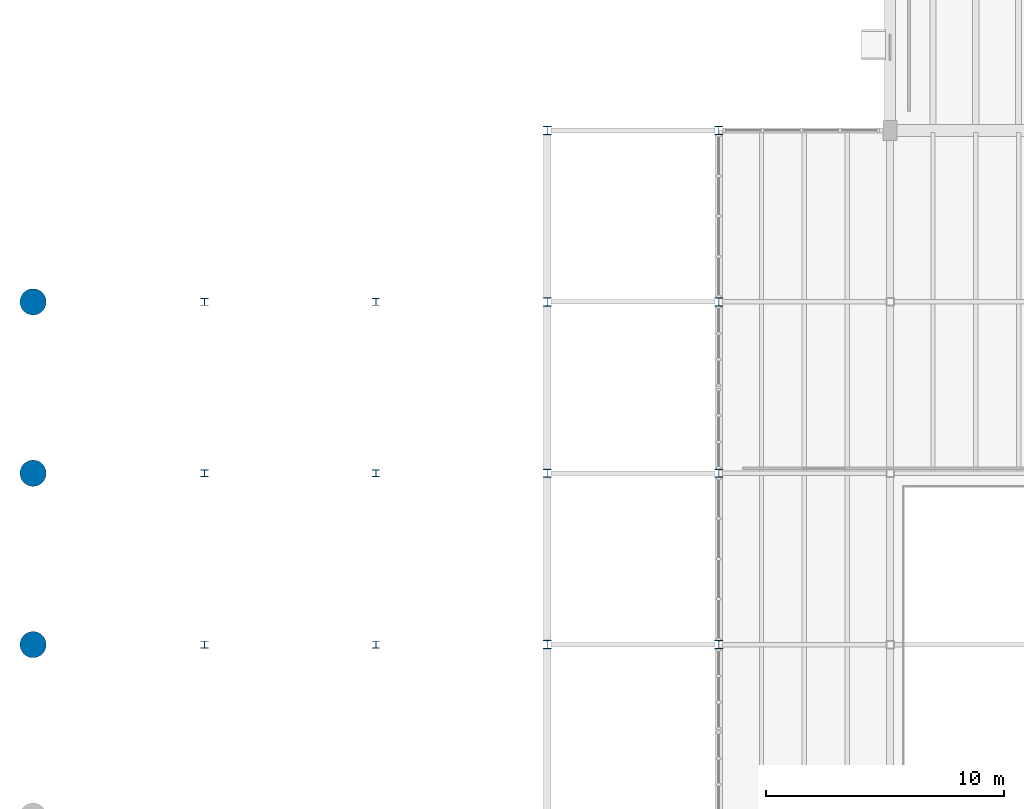
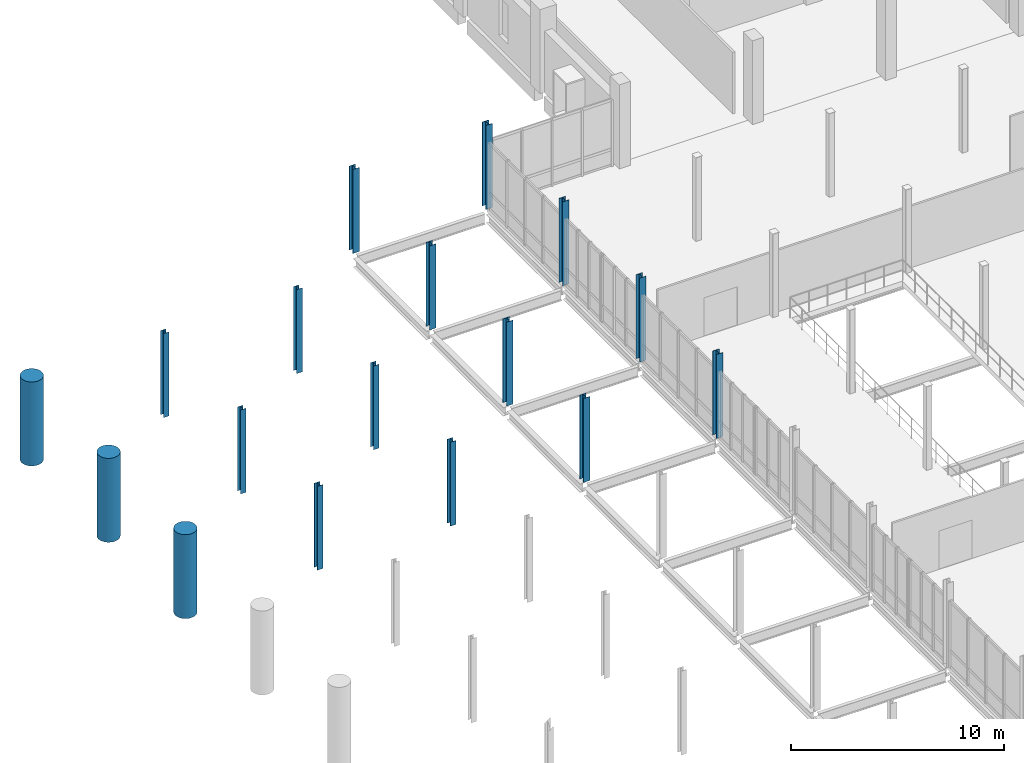
# One storey, part 10 of 77: 17 columns.
"""IFC4 building model written with IfcOpenShell, lengths in metres."""

from ifc_helpers import new_model, si_unit, direction, frame, origin, origin_2d, place, context, subcontext, project, spatial, circle, i_section, extrude, material, material_profile, profile_set, type_object, element, save


model = new_model("IFC4")

# Units and contexts
model_context = context("Model", 3, precision=1e-05, world=origin(), true_north=direction((0.0, 1.0)))
body_context = subcontext(model_context, "Body", "Model", "MODEL_VIEW")
ifc_project = project(units=[si_unit("LENGTHUNIT", "METRE"), si_unit("AREAUNIT", "SQUARE_METRE"), si_unit("VOLUMEUNIT", "CUBIC_METRE"), si_unit("PLANEANGLEUNIT", "RADIAN"), si_unit("MASSUNIT", "GRAM", prefix="KILO")], contexts=[model_context])

# Site, building, storey
site_placement = place(None, origin())
site = spatial("IfcSite", under=ifc_project, at=site_placement, CompositionType="ELEMENT")
building_placement = place(site_placement, origin())
building = spatial("IfcBuilding", under=site, at=building_placement, Name="Qiaolan Assembly House", CompositionType="ELEMENT")
storey_placement = place(building_placement, frame((0.0, 0.0, 5.39990234375)))
storey = spatial("IfcBuildingStorey", under=building, at=storey_placement, Name="L01", CompositionType="ELEMENT", Elevation=5.39990234375)

# Columns
ifc_material_1 = material(Name="Steel Q355B", Category="steel")
ifc_material_profile_1 = material_profile(ifc_material_1, i_section(OverallWidth=0.300048828125, OverallDepth=0.300048828125, WebThickness=0.010009765625, FlangeThickness=0.014892578125, FilletRadius=0.01806640625, at=origin_2d()), Name="HW 300x300x10x15")
ifc_profile_set_1 = profile_set([ifc_material_profile_1], Name="Steel Q355B")
column_type_1 = type_object("IfcColumnType", Name="COL-STL-HW300", PredefinedType="COLUMN", material=ifc_profile_set_1)
for number, where, z_axis, x_axis, name in (
    (1, (7.199951171875, 64.800048828125, 0.0), (0.0, 0.0, 1.0), (1.0, 0.0, 0.0), "SC-03 portico colonnade column L01"),
    (2, (7.199951171875, 72.0, 0.0), (0.0, 0.0, 1.0), (1.0, 0.0, 0.0), "SC-03 portico colonnade column L01"),
    (3, (7.199951171875, 79.199951171875, 0.0), (0.0, 0.0, 1.0), (1.0, 0.0, 0.0), "SC-03 portico colonnade column L01"),
    (4, (14.39990234375, 64.800048828125, 0.0), (0.0, 0.0, 1.0), (1.0, 0.0, 0.0), "SC-03 portico colonnade column L01"),
    (5, (14.39990234375, 72.0, 0.0), (0.0, 0.0, 1.0), (1.0, 0.0, 0.0), "SC-03 portico colonnade column L01"),
    (6, (14.39990234375, 79.199951171875, 0.0), (0.0, 0.0, 1.0), (1.0, 0.0, 0.0), "SC-03 portico colonnade column L01"),
):
    element("IfcColumn", number, at=place(storey_placement, frame(where, z_axis=z_axis, x_axis=x_axis)), inside=storey, type_object=column_type_1, Name=name, PredefinedType="COLUMN", context=body_context, shape_type="SweptSolid", body=[
        extrude(i_section(OverallWidth=0.300048828125, OverallDepth=0.300048828125, WebThickness=0.010009765625, FlangeThickness=0.014892578125, FilletRadius=0.01806640625, at=origin_2d()), origin(), (0.0, 0.0, 1.0), 4.800048828125),
    ])
ifc_material_profile_2 = material_profile(ifc_material_1, i_section(OverallWidth=0.35009765625, OverallDepth=0.35009765625, WebThickness=0.011962890625, FlangeThickness=0.01904296875, FilletRadius=0.02001953125, at=origin_2d()), Name="HW 350x350x12x19")
ifc_profile_set_2 = profile_set([ifc_material_profile_2], Name="Steel Q355B")
column_type_2 = type_object("IfcColumnType", Name="COL-STL-HW350", PredefinedType="COLUMN", material=ifc_profile_set_2)
for number, where, z_axis, x_axis, name in (
    (7, (21.60009765625, 64.800048828125, 0.0), (0.0, 0.0, 1.0), (1.0, 0.0, 0.0), "SC-02 hall column L01"),
    (8, (21.60009765625, 72.0, 0.0), (0.0, 0.0, 1.0), (1.0, 0.0, 0.0), "SC-02 hall column L01"),
    (9, (21.60009765625, 79.199951171875, 0.0), (0.0, 0.0, 1.0), (1.0, 0.0, 0.0), "SC-02 hall column L01"),
    (10, (21.60009765625, 86.39990234375, 0.0), (0.0, 0.0, 1.0), (1.0, 0.0, 0.0), "SC-02 hall column L01"),
    (11, (28.800048828125, 64.800048828125, 0.0), (0.0, 0.0, 1.0), (1.0, 0.0, 0.0), "SC-02 hall column L01"),
    (12, (28.800048828125, 72.0, 0.0), (0.0, 0.0, 1.0), (1.0, 0.0, 0.0), "SC-02 hall column L01"),
    (13, (28.800048828125, 79.199951171875, 0.0), (0.0, 0.0, 1.0), (1.0, 0.0, 0.0), "SC-02 hall column L01"),
    (14, (28.800048828125, 86.39990234375, 0.0), (0.0, 0.0, 1.0), (1.0, 0.0, 0.0), "SC-02 hall column L01"),
):
    element("IfcColumn", number, at=place(storey_placement, frame(where, z_axis=z_axis, x_axis=x_axis)), inside=storey, type_object=column_type_2, Name=name, PredefinedType="COLUMN", context=body_context, shape_type="SweptSolid", body=[
        extrude(i_section(OverallWidth=0.35009765625, OverallDepth=0.35009765625, WebThickness=0.011962890625, FlangeThickness=0.01904296875, FilletRadius=0.02001953125, at=origin_2d()), origin(), (0.0, 0.0, 1.0), 4.800048828125),
    ])
ifc_material_2 = material(Name="Precast concrete C50/60", Category="concrete")
ifc_material_profile_3 = material_profile(ifc_material_2, circle(Radius=0.550048828125, at=origin_2d()), Name="CIRC D1100")
ifc_profile_set_3 = profile_set([ifc_material_profile_3], Name="Precast concrete C50/60")
column_type_3 = type_object("IfcColumnType", Name="PIL-PORTICO-D1100", PredefinedType="PILASTER", material=ifc_profile_set_3)
for number, where, z_axis, x_axis, name in (
    (15, (0.0, 64.800048828125, 0.0), (0.0, 0.0, 1.0), (1.0, 0.0, 0.0), "PL-01 portico colonnade column L01"),
    (16, (0.0, 72.0, 0.0), (0.0, 0.0, 1.0), (1.0, 0.0, 0.0), "PL-01 portico colonnade column L01"),
    (17, (0.0, 79.199951171875, 0.0), (0.0, 0.0, 1.0), (1.0, 0.0, 0.0), "PL-01 portico colonnade column L01"),
):
    element("IfcColumn", number, at=place(storey_placement, frame(where, z_axis=z_axis, x_axis=x_axis)), inside=storey, type_object=column_type_3, Name=name, PredefinedType="PILASTER", context=body_context, shape_type="SweptSolid", body=[
        extrude(circle(Radius=0.550048828125, at=origin_2d()), origin(), (0.0, 0.0, 1.0), 4.800048828125),
    ])

save(model, "model.ifc")
